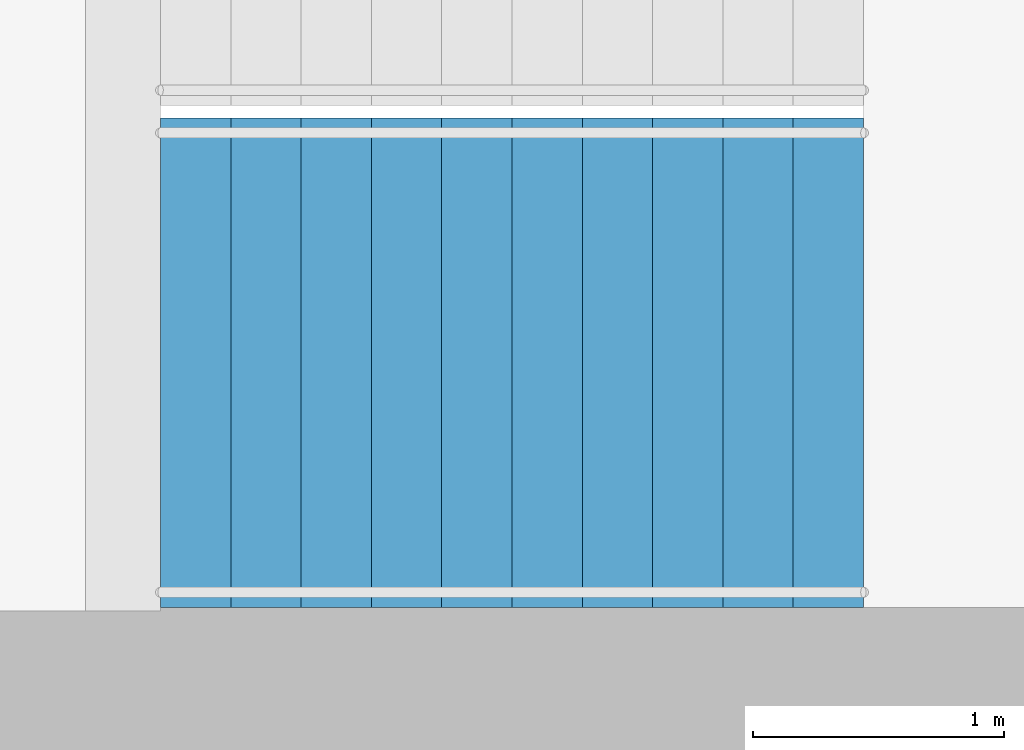
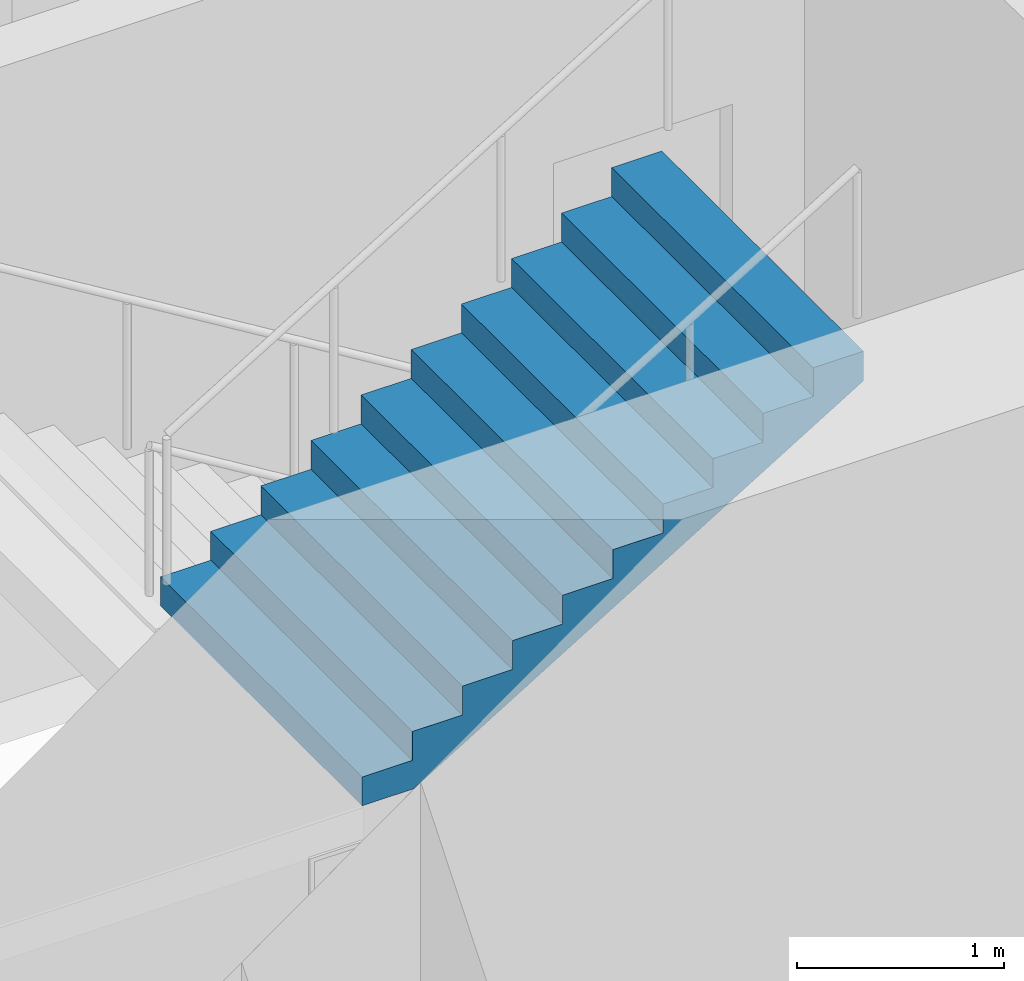
# One storey, part 21 of 23: 1 stair flight, 1 element without a shape of its own.
"""IFC4 building model written with IfcOpenShell, lengths in metres."""

from ifc_helpers import new_model, si_unit, direction, frame, origin, place, context, subcontext, project, spatial, triangles, material, type_object, element, aggregate, save


model = new_model("IFC4")

# Units and contexts
model_context = context("Model", 3, precision=1e-05, world=origin(), true_north=direction((0.0, 1.0)))
body_context = subcontext(model_context, "Body", "Model", "MODEL_VIEW")
ifc_project = project(units=[si_unit("LENGTHUNIT", "METRE"), si_unit("AREAUNIT", "SQUARE_METRE"), si_unit("VOLUMEUNIT", "CUBIC_METRE"), si_unit("PLANEANGLEUNIT", "RADIAN"), si_unit("MASSUNIT", "GRAM", prefix="KILO")], contexts=[model_context])

# Site, building, storey
site_placement = place(None, origin())
site = spatial("IfcSite", under=ifc_project, at=site_placement, CompositionType="ELEMENT")
building_placement = place(site_placement, origin())
building = spatial("IfcBuilding", under=site, at=building_placement, Name="Orbita Commons", CompositionType="ELEMENT")
storey_placement = place(building_placement, frame((0.0, 0.0, 42.699951171875)))
storey = spatial("IfcBuildingStorey", under=building, at=storey_placement, Name="L10", CompositionType="ELEMENT", Elevation=42.699951171875)

# Stair, stair flight
ifc_material_1 = material(Name="Precast concrete C40/50", Category="concrete")
stair_type = type_object("IfcStairType", Name="Exit stair S2 2 flights 11 risers 170", PredefinedType="HALF_TURN_STAIR", material=ifc_material_1)
stair_placement = place(storey_placement, origin())
stair = element("IfcStair", 1, at=stair_placement, inside=storey, type_object=stair_type, Name="Exit stair S2 L10", PredefinedType="HALF_TURN_STAIR")
ifc_material_2 = material(Name="Precast concrete C40/50", Category="concrete")
stair_flight_type = type_object("IfcStairFlightType", Name="Stair flight 11 risers 170 x 280", PredefinedType="STRAIGHT", material=ifc_material_2)
stair_flight_placement = place(storey_placement, frame((60.75, 27.27490234375, 1.875), z_axis=(0.0, 0.0, 1.0), x_axis=(1.0, 0.0, 0.0)))
stair_flight = element("IfcStairFlight", 2, at=stair_flight_placement, type_object=stair_flight_type, Name="S2 flight 2", NumberOfRisers=11, NumberOfTreads=10, PredefinedType="STRAIGHT", RiserHeight=0.170454545, TreadLength=0.28, context=body_context, shape_type="Tessellation", body=[
    triangles([(0.0, 0.974976, 0.0), (0.0, 0.974976, 0.021307), (0.0, 0.81248, 0.021307), (0.0, 0.81248, 0.0), (0.0, 0.649984, 0.021307), (0.0, 0.649984, 0.0), (0.0, 0.487488, 0.021307), (0.0, 0.487488, 0.0), (0.0, 0.324992, 0.021307), (0.0, 0.324992, 0.0), (0.0, 0.162496, 0.021307), (0.0, 0.162496, 0.0), (0.0, 0.0, 0.021307), (0.0, 0.0, 0.0), (0.0, -0.162496, 0.021307), (0.0, -0.162496, 0.0), (0.0, -0.324992, 0.021307), (0.0, -0.324992, 0.0), (0.0, -0.487488, 0.021307), (0.0, -0.487488, 0.0), (0.0, -0.649984, 0.021307), (0.0, -0.649984, 0.0), (0.0, -0.81248, 0.021307), (0.0, -0.81248, 0.0), (0.0, -0.974976, 0.021307), (0.0, -0.974976, 0.0), (0.0, 0.974976, 0.042614), (0.0, 0.81248, 0.042614), (0.0, 0.649984, 0.042614), (0.0, 0.487488, 0.042614), (0.0, 0.324992, 0.042614), (0.0, 0.162496, 0.042614), (0.0, 0.0, 0.042614), (0.0, -0.162496, 0.042614), (0.0, -0.324992, 0.042614), (0.0, -0.487488, 0.042614), (0.0, -0.649984, 0.042614), (0.0, -0.81248, 0.042614), (0.0, -0.974976, 0.042614), (0.0, 0.974976, 0.06392), (0.0, 0.81248, 0.06392), (0.0, 0.649984, 0.06392), (0.0, 0.487488, 0.06392), (0.0, 0.324992, 0.06392), (0.0, 0.162496, 0.06392), (0.0, 0.0, 0.06392), (0.0, -0.162496, 0.06392), (0.0, -0.324992, 0.06392), (0.0, -0.487488, 0.06392), (0.0, -0.649984, 0.06392), (0.0, -0.81248, 0.06392), (0.0, -0.974976, 0.06392), (0.0, 0.974976, 0.085227), (0.0, 0.81248, 0.085227), (0.0, 0.649984, 0.085227), (0.0, 0.487488, 0.085227), (0.0, 0.324992, 0.085227), (0.0, 0.162496, 0.085227), (0.0, 0.0, 0.085227), (0.0, -0.162496, 0.085227), (0.0, -0.324992, 0.085227), (0.0, -0.487488, 0.085227), (0.0, -0.649984, 0.085227), (0.0, -0.81248, 0.085227), (0.0, -0.974976, 0.085227), (0.0, 0.974976, 0.106534), (0.0, 0.81248, 0.106534), (0.0, 0.649984, 0.106534), (0.0, 0.487488, 0.106534), (0.0, 0.324992, 0.106534), (0.0, 0.162496, 0.106534), (0.0, 0.0, 0.106534), (0.0, -0.162496, 0.106534), (0.0, -0.324992, 0.106534), (0.0, -0.487488, 0.106534), (0.0, -0.649984, 0.106534), (0.0, -0.81248, 0.106534), (0.0, -0.974976, 0.106534), (0.0, 0.974976, 0.127841), (0.0, 0.81248, 0.127841), (0.0, 0.649984, 0.127841), (0.0, 0.487488, 0.127841), (0.0, 0.324992, 0.127841), (0.0, 0.162496, 0.127841), (0.0, 0.0, 0.127841), (0.0, -0.162496, 0.127841), (0.0, -0.324992, 0.127841), (0.0, -0.487488, 0.127841), (0.0, -0.649984, 0.127841), (0.0, -0.81248, 0.127841), (0.0, -0.974976, 0.127841), (0.0, 0.974976, 0.149148), (0.0, 0.81248, 0.149148), (0.0, 0.649984, 0.149148), (0.0, 0.487488, 0.149148), (0.0, 0.324992, 0.149148), (0.0, 0.162496, 0.149148), (0.0, 0.0, 0.149148), (0.0, -0.162496, 0.149148), (0.0, -0.324992, 0.149148), (0.0, -0.487488, 0.149148), (0.0, -0.649984, 0.149148), (0.0, -0.81248, 0.149148), (0.0, -0.974976, 0.149148), (0.0, 0.974976, 0.170455), (0.0, 0.81248, 0.170455), (0.0, 0.649984, 0.170455), (0.0, 0.487488, 0.170455), (0.0, 0.324992, 0.170455), (0.0, 0.162496, 0.170455), (0.0, 0.0, 0.170455), (0.0, -0.162496, 0.170455), (0.0, -0.324992, 0.170455), (0.0, -0.487488, 0.170455), (0.0, -0.649984, 0.170455), (0.0, -0.81248, 0.170455), (0.0, -0.974976, 0.170455), (0.28, 0.974976, 0.170455), (0.28, 0.81248, 0.170455), (0.28, 0.649984, 0.170455), (0.28, 0.487488, 0.170455), (0.28, 0.324992, 0.170455), (0.28, 0.162496, 0.170455), (0.28, 0.0, 0.170455), (0.28, -0.162496, 0.170455), (0.28, -0.324992, 0.170455), (0.28, -0.487488, 0.170455), (0.28, -0.649984, 0.170455), (0.28, -0.81248, 0.170455), (0.28, -0.974976, 0.170455), (0.28, 0.974976, 0.340909), (0.28, 0.81248, 0.340909), (0.28, 0.649984, 0.340909), (0.28, 0.487488, 0.340909), (0.28, 0.324992, 0.340909), (0.28, 0.162496, 0.340909), (0.28, 0.0, 0.340909), (0.28, -0.162496, 0.340909), (0.28, -0.324992, 0.340909), (0.28, -0.487488, 0.340909), (0.28, -0.649984, 0.340909), (0.28, -0.81248, 0.340909), (0.28, -0.974976, 0.340909), (0.56, 0.974976, 0.340909), (0.56, 0.81248, 0.340909), (0.56, 0.649984, 0.340909), (0.56, 0.487488, 0.340909), (0.56, 0.324992, 0.340909), (0.56, 0.162496, 0.340909), (0.56, 0.0, 0.340909), (0.56, -0.162496, 0.340909), (0.56, -0.324992, 0.340909), (0.56, -0.487488, 0.340909), (0.56, -0.649984, 0.340909), (0.56, -0.81248, 0.340909), (0.56, -0.974976, 0.340909), (0.56, 0.974976, 0.511364), (0.56, 0.81248, 0.511364), (0.56, 0.649984, 0.511364), (0.56, 0.487488, 0.511364), (0.56, 0.324992, 0.511364), (0.56, 0.162496, 0.511364), (0.56, 0.0, 0.511364), (0.56, -0.162496, 0.511364), (0.56, -0.324992, 0.511364), (0.56, -0.487488, 0.511364), (0.56, -0.649984, 0.511364), (0.56, -0.81248, 0.511364), (0.56, -0.974976, 0.511364), (0.84, 0.974976, 0.511364), (0.84, 0.81248, 0.511364), (0.84, 0.649984, 0.511364), (0.84, 0.487488, 0.511364), (0.84, 0.324992, 0.511364), (0.84, 0.162496, 0.511364), (0.84, 0.0, 0.511364), (0.84, -0.162496, 0.511364), (0.84, -0.324992, 0.511364), (0.84, -0.487488, 0.511364), (0.84, -0.649984, 0.511364), (0.84, -0.81248, 0.511364), (0.84, -0.974976, 0.511364), (0.84, 0.974976, 0.681818), (0.84, 0.81248, 0.681818), (0.84, 0.649984, 0.681818), (0.84, 0.487488, 0.681818), (0.84, 0.324992, 0.681818), (0.84, 0.162496, 0.681818), (0.84, 0.0, 0.681818), (0.84, -0.162496, 0.681818), (0.84, -0.324992, 0.681818), (0.84, -0.487488, 0.681818), (0.84, -0.649984, 0.681818), (0.84, -0.81248, 0.681818), (0.84, -0.974976, 0.681818), (1.12, 0.974976, 0.681818), (1.12, 0.81248, 0.681818), (1.12, 0.649984, 0.681818), (1.12, 0.487488, 0.681818), (1.12, 0.324992, 0.681818), (1.12, 0.162496, 0.681818), (1.12, 0.0, 0.681818), (1.12, -0.162496, 0.681818), (1.12, -0.324992, 0.681818), (1.12, -0.487488, 0.681818), (1.12, -0.649984, 0.681818), (1.12, -0.81248, 0.681818), (1.12, -0.974976, 0.681818), (1.12, 0.974976, 0.852273), (1.12, 0.81248, 0.852273), (1.12, 0.649984, 0.852273), (1.12, 0.487488, 0.852273), (1.12, 0.324992, 0.852273), (1.12, 0.162496, 0.852273), (1.12, 0.0, 0.852273), (1.12, -0.162496, 0.852273), (1.12, -0.324992, 0.852273), (1.12, -0.487488, 0.852273), (1.12, -0.649984, 0.852273), (1.12, -0.81248, 0.852273), (1.12, -0.974976, 0.852273), (1.4, 0.974976, 0.852273), (1.4, 0.81248, 0.852273), (1.4, 0.649984, 0.852273), (1.4, 0.487488, 0.852273), (1.4, 0.324992, 0.852273), (1.4, 0.162496, 0.852273), (1.4, 0.0, 0.852273), (1.4, -0.162496, 0.852273), (1.4, -0.324992, 0.852273), (1.4, -0.487488, 0.852273), (1.4, -0.649984, 0.852273), (1.4, -0.81248, 0.852273), (1.4, -0.974976, 0.852273), (1.4, 0.974976, 1.022727), (1.4, 0.81248, 1.022727), (1.4, 0.649984, 1.022727), (1.4, 0.487488, 1.022727), (1.4, 0.324992, 1.022727), (1.4, 0.162496, 1.022727), (1.4, 0.0, 1.022727), (1.4, -0.162496, 1.022727), (1.4, -0.324992, 1.022727), (1.4, -0.487488, 1.022727), (1.4, -0.649984, 1.022727), (1.4, -0.81248, 1.022727), (1.4, -0.974976, 1.022727), (1.68, 0.974976, 1.022727), (1.68, 0.81248, 1.022727), (1.68, 0.649984, 1.022727), (1.68, 0.487488, 1.022727), (1.68, 0.324992, 1.022727), (1.68, 0.162496, 1.022727), (1.68, 0.0, 1.022727), (1.68, -0.162496, 1.022727), (1.68, -0.324992, 1.022727), (1.68, -0.487488, 1.022727), (1.68, -0.649984, 1.022727), (1.68, -0.81248, 1.022727), (1.68, -0.974976, 1.022727), (1.68, 0.974976, 1.193182), (1.68, 0.81248, 1.193182), (1.68, 0.649984, 1.193182), (1.68, 0.487488, 1.193182), (1.68, 0.324992, 1.193182), (1.68, 0.162496, 1.193182), (1.68, 0.0, 1.193182), (1.68, -0.162496, 1.193182), (1.68, -0.324992, 1.193182), (1.68, -0.487488, 1.193182), (1.68, -0.649984, 1.193182), (1.68, -0.81248, 1.193182), (1.68, -0.974976, 1.193182), (1.96, 0.974976, 1.193182), (1.96, 0.81248, 1.193182), (1.96, 0.649984, 1.193182), (1.96, 0.487488, 1.193182), (1.96, 0.324992, 1.193182), (1.96, 0.162496, 1.193182), (1.96, 0.0, 1.193182), (1.96, -0.162496, 1.193182), (1.96, -0.324992, 1.193182), (1.96, -0.487488, 1.193182), (1.96, -0.649984, 1.193182), (1.96, -0.81248, 1.193182), (1.96, -0.974976, 1.193182), (1.96, 0.974976, 1.363636), (1.96, 0.81248, 1.363636), (1.96, 0.649984, 1.363636), (1.96, 0.487488, 1.363636), (1.96, 0.324992, 1.363636), (1.96, 0.162496, 1.363636), (1.96, 0.0, 1.363636), (1.96, -0.162496, 1.363636), (1.96, -0.324992, 1.363636), (1.96, -0.487488, 1.363636), (1.96, -0.649984, 1.363636), (1.96, -0.81248, 1.363636), (1.96, -0.974976, 1.363636), (2.24, 0.974976, 1.363636), (2.24, 0.81248, 1.363636), (2.24, 0.649984, 1.363636), (2.24, 0.487488, 1.363636), (2.24, 0.324992, 1.363636), (2.24, 0.162496, 1.363636), (2.24, 0.0, 1.363636), (2.24, -0.162496, 1.363636), (2.24, -0.324992, 1.363636), (2.24, -0.487488, 1.363636), (2.24, -0.649984, 1.363636), (2.24, -0.81248, 1.363636), (2.24, -0.974976, 1.363636), (2.24, 0.974976, 1.534091), (2.24, 0.81248, 1.534091), (2.24, 0.649984, 1.534091), (2.24, 0.487488, 1.534091), (2.24, 0.324992, 1.534091), (2.24, 0.162496, 1.534091), (2.24, 0.0, 1.534091), (2.24, -0.162496, 1.534091), (2.24, -0.324992, 1.534091), (2.24, -0.487488, 1.534091), (2.24, -0.649984, 1.534091), (2.24, -0.81248, 1.534091), (2.24, -0.974976, 1.534091), (2.52, 0.974976, 1.534091), (2.52, 0.81248, 1.534091), (2.52, 0.649984, 1.534091), (2.52, 0.487488, 1.534091), (2.52, 0.324992, 1.534091), (2.52, 0.162496, 1.534091), (2.52, 0.0, 1.534091), (2.52, -0.162496, 1.534091), (2.52, -0.324992, 1.534091), (2.52, -0.487488, 1.534091), (2.52, -0.649984, 1.534091), (2.52, -0.81248, 1.534091), (2.52, -0.974976, 1.534091), (2.52, 0.974976, 1.704545), (2.52, 0.81248, 1.704545), (2.52, 0.649984, 1.704545), (2.52, 0.487488, 1.704545), (2.52, 0.324992, 1.704545), (2.52, 0.162496, 1.704545), (2.52, 0.0, 1.704545), (2.52, -0.162496, 1.704545), (2.52, -0.324992, 1.704545), (2.52, -0.487488, 1.704545), (2.52, -0.649984, 1.704545), (2.52, -0.81248, 1.704545), (2.52, -0.974976, 1.704545), (2.8, 0.974976, 1.704545), (2.8, 0.81248, 1.704545), (2.8, 0.649984, 1.704545), (2.8, 0.487488, 1.704545), (2.8, 0.324992, 1.704545), (2.8, 0.162496, 1.704545), (2.8, 0.0, 1.704545), (2.8, -0.162496, 1.704545), (2.8, -0.324992, 1.704545), (2.8, -0.487488, 1.704545), (2.8, -0.649984, 1.704545), (2.8, -0.81248, 1.704545), (2.8, -0.974976, 1.704545), (2.8, 0.974976, 1.682609), (2.8, 0.81248, 1.682609), (2.8, 0.649984, 1.682609), (2.8, 0.487488, 1.682609), (2.8, 0.324992, 1.682609), (2.8, 0.162496, 1.682609), (2.8, 0.0, 1.682609), (2.8, -0.162496, 1.682609), (2.8, -0.324992, 1.682609), (2.8, -0.487488, 1.682609), (2.8, -0.649984, 1.682609), (2.8, -0.81248, 1.682609), (2.8, -0.974976, 1.682609), (2.8, 0.974976, 1.660672), (2.8, 0.81248, 1.660672), (2.8, 0.649984, 1.660672), (2.8, 0.487488, 1.660672), (2.8, 0.324992, 1.660672), (2.8, 0.162496, 1.660672), (2.8, 0.0, 1.660672), (2.8, -0.162496, 1.660672), (2.8, -0.324992, 1.660672), (2.8, -0.487488, 1.660672), (2.8, -0.649984, 1.660672), (2.8, -0.81248, 1.660672), (2.8, -0.974976, 1.660672), (2.8, 0.974976, 1.638735), (2.8, 0.81248, 1.638735), (2.8, 0.649984, 1.638735), (2.8, 0.487488, 1.638735), (2.8, 0.324992, 1.638735), (2.8, 0.162496, 1.638735), (2.8, 0.0, 1.638735), (2.8, -0.162496, 1.638735), (2.8, -0.324992, 1.638735), (2.8, -0.487488, 1.638735), (2.8, -0.649984, 1.638735), (2.8, -0.81248, 1.638735), (2.8, -0.974976, 1.638735), (2.8, 0.974976, 1.616798), (2.8, 0.81248, 1.616798), (2.8, 0.649984, 1.616798), (2.8, 0.487488, 1.616798), (2.8, 0.324992, 1.616798), (2.8, 0.162496, 1.616798), (2.8, 0.0, 1.616798), (2.8, -0.162496, 1.616798), (2.8, -0.324992, 1.616798), (2.8, -0.487488, 1.616798), (2.8, -0.649984, 1.616798), (2.8, -0.81248, 1.616798), (2.8, -0.974976, 1.616798), (2.8, 0.974976, 1.594861), (2.8, 0.81248, 1.594861), (2.8, 0.649984, 1.594861), (2.8, 0.487488, 1.594861), (2.8, 0.324992, 1.594861), (2.8, 0.162496, 1.594861), (2.8, 0.0, 1.594861), (2.8, -0.162496, 1.594861), (2.8, -0.324992, 1.594861), (2.8, -0.487488, 1.594861), (2.8, -0.649984, 1.594861), (2.8, -0.81248, 1.594861), (2.8, -0.974976, 1.594861), (2.8, 0.974976, 1.572925), (2.8, 0.81248, 1.572925), (2.8, 0.649984, 1.572925), (2.8, 0.487488, 1.572925), (2.8, 0.324992, 1.572925), (2.8, 0.162496, 1.572925), (2.8, 0.0, 1.572925), (2.8, -0.162496, 1.572925), (2.8, -0.324992, 1.572925), (2.8, -0.487488, 1.572925), (2.8, -0.649984, 1.572925), (2.8, -0.81248, 1.572925), (2.8, -0.974976, 1.572925), (2.8, 0.974976, 1.550988), (2.8, 0.81248, 1.550988), (2.8, 0.649984, 1.550988), (2.8, 0.487488, 1.550988), (2.8, 0.324992, 1.550988), (2.8, 0.162496, 1.550988), (2.8, 0.0, 1.550988), (2.8, -0.162496, 1.550988), (2.8, -0.324992, 1.550988), (2.8, -0.487488, 1.550988), (2.8, -0.649984, 1.550988), (2.8, -0.81248, 1.550988), (2.8, -0.974976, 1.550988), (2.8, 0.974976, 1.529051), (2.8, 0.81248, 1.529051), (2.8, 0.649984, 1.529051), (2.8, 0.487488, 1.529051), (2.8, 0.324992, 1.529051), (2.8, 0.162496, 1.529051), (2.8, 0.0, 1.529051), (2.8, -0.162496, 1.529051), (2.8, -0.324992, 1.529051), (2.8, -0.487488, 1.529051), (2.8, -0.649984, 1.529051), (2.8, -0.81248, 1.529051), (2.8, -0.974976, 1.529051), (0.288279, 0.974976, 0.0), (0.288279, 0.81248, 0.0), (0.288279, 0.649984, 0.0), (0.288279, 0.487488, 0.0), (0.288279, 0.324992, 0.0), (0.288279, 0.162496, 0.0), (0.288279, 0.0, 0.0), (0.288279, -0.162496, 0.0), (0.288279, -0.324992, 0.0), (0.288279, -0.487488, 0.0), (0.288279, -0.649984, 0.0), (0.288279, -0.81248, 0.0), (0.288279, -0.974976, 0.0)], [[3, 2, 1], [4, 3, 1], [5, 3, 4], [6, 5, 4], [7, 5, 6], [8, 7, 6], [9, 7, 8], [10, 9, 8], [11, 9, 10], [12, 11, 10], [13, 11, 12], [14, 13, 12], [15, 13, 14], [16, 15, 14], [17, 15, 16], [18, 17, 16], [19, 17, 18], [20, 19, 18], [21, 19, 20], [22, 21, 20], [23, 21, 22], [24, 23, 22], [25, 23, 24], [26, 25, 24], [28, 27, 2], [3, 28, 2], [29, 28, 3], [5, 29, 3], [30, 29, 5], [7, 30, 5], [31, 30, 7], [9, 31, 7], [32, 31, 9], [11, 32, 9], [33, 32, 11], [13, 33, 11], [34, 33, 13], [15, 34, 13], [35, 34, 15], [17, 35, 15], [36, 35, 17], [19, 36, 17], [37, 36, 19], [21, 37, 19], [38, 37, 21], [23, 38, 21], [39, 38, 23], [25, 39, 23], [41, 40, 27], [28, 41, 27], [42, 41, 28], [29, 42, 28], [43, 42, 29], [30, 43, 29], [44, 43, 30], [31, 44, 30], [45, 44, 31], [32, 45, 31], [46, 45, 32], [33, 46, 32], [47, 46, 33], [34, 47, 33], [48, 47, 34], [35, 48, 34], [49, 48, 35], [36, 49, 35], [50, 49, 36], [37, 50, 36], [51, 50, 37], [38, 51, 37], [52, 51, 38], [39, 52, 38], [54, 53, 40], [41, 54, 40], [55, 54, 41], [42, 55, 41], [56, 55, 42], [43, 56, 42], [57, 56, 43], [44, 57, 43], [58, 57, 44], [45, 58, 44], [59, 58, 45], [46, 59, 45], [60, 59, 46], [47, 60, 46], [61, 60, 47], [48, 61, 47], [62, 61, 48], [49, 62, 48], [63, 62, 49], [50, 63, 49], [64, 63, 50], [51, 64, 50], [65, 64, 51], [52, 65, 51], [67, 66, 53], [54, 67, 53], [68, 67, 54], [55, 68, 54], [69, 68, 55], [56, 69, 55], [70, 69, 56], [57, 70, 56], [71, 70, 57], [58, 71, 57], [72, 71, 58], [59, 72, 58], [73, 72, 59], [60, 73, 59], [74, 73, 60], [61, 74, 60], [75, 74, 61], [62, 75, 61], [76, 75, 62], [63, 76, 62], [77, 76, 63], [64, 77, 63], [78, 77, 64], [65, 78, 64], [80, 79, 66], [67, 80, 66], [81, 80, 67], [68, 81, 67], [82, 81, 68], [69, 82, 68], [83, 82, 69], [70, 83, 69], [84, 83, 70], [71, 84, 70], [85, 84, 71], [72, 85, 71], [86, 85, 72], [73, 86, 72], [87, 86, 73], [74, 87, 73], [88, 87, 74], [75, 88, 74], [89, 88, 75], [76, 89, 75], [90, 89, 76], [77, 90, 76], [91, 90, 77], [78, 91, 77], [93, 92, 79], [80, 93, 79], [94, 93, 80], [81, 94, 80], [95, 94, 81], [82, 95, 81], [96, 95, 82], [83, 96, 82], [97, 96, 83], [84, 97, 83], [98, 97, 84], [85, 98, 84], [99, 98, 85], [86, 99, 85], [100, 99, 86], [87, 100, 86], [101, 100, 87], [88, 101, 87], [102, 101, 88], [89, 102, 88], [103, 102, 89], [90, 103, 89], [104, 103, 90], [91, 104, 90], [106, 105, 92], [93, 106, 92], [107, 106, 93], [94, 107, 93], [108, 107, 94], [95, 108, 94], [109, 108, 95], [96, 109, 95], [110, 109, 96], [97, 110, 96], [111, 110, 97], [98, 111, 97], [112, 111, 98], [99, 112, 98], [113, 112, 99], [100, 113, 99], [114, 113, 100], [101, 114, 100], [115, 114, 101], [102, 115, 101], [116, 115, 102], [103, 116, 102], [117, 116, 103], [104, 117, 103], [119, 118, 105], [106, 119, 105], [120, 119, 106], [107, 120, 106], [121, 120, 107], [108, 121, 107], [122, 121, 108], [109, 122, 108], [123, 122, 109], [110, 123, 109], [124, 123, 110], [111, 124, 110], [125, 124, 111], [112, 125, 111], [126, 125, 112], [113, 126, 112], [127, 126, 113], [114, 127, 113], [128, 127, 114], [115, 128, 114], [129, 128, 115], [116, 129, 115], [130, 129, 116], [117, 130, 116], [132, 131, 118], [119, 132, 118], [133, 132, 119], [120, 133, 119], [134, 133, 120], [121, 134, 120], [135, 134, 121], [122, 135, 121], [136, 135, 122], [123, 136, 122], [137, 136, 123], [124, 137, 123], [138, 137, 124], [125, 138, 124], [139, 138, 125], [126, 139, 125], [140, 139, 126], [127, 140, 126], [141, 140, 127], [128, 141, 127], [142, 141, 128], [129, 142, 128], [143, 142, 129], [130, 143, 129], [145, 144, 131], [132, 145, 131], [146, 145, 132], [133, 146, 132], [147, 146, 133], [134, 147, 133], [148, 147, 134], [135, 148, 134], [149, 148, 135], [136, 149, 135], [150, 149, 136], [137, 150, 136], [151, 150, 137], [138, 151, 137], [152, 151, 138], [139, 152, 138], [153, 152, 139], [140, 153, 139], [154, 153, 140], [141, 154, 140], [155, 154, 141], [142, 155, 141], [156, 155, 142], [143, 156, 142], [158, 157, 144], [145, 158, 144], [159, 158, 145], [146, 159, 145], [160, 159, 146], [147, 160, 146], [161, 160, 147], [148, 161, 147], [162, 161, 148], [149, 162, 148], [163, 162, 149], [150, 163, 149], [164, 163, 150], [151, 164, 150], [165, 164, 151], [152, 165, 151], [166, 165, 152], [153, 166, 152], [167, 166, 153], [154, 167, 153], [168, 167, 154], [155, 168, 154], [169, 168, 155], [156, 169, 155], [171, 170, 157], [158, 171, 157], [172, 171, 158], [159, 172, 158], [173, 172, 159], [160, 173, 159], [174, 173, 160], [161, 174, 160], [175, 174, 161], [162, 175, 161], [176, 175, 162], [163, 176, 162], [177, 176, 163], [164, 177, 163], [178, 177, 164], [165, 178, 164], [179, 178, 165], [166, 179, 165], [180, 179, 166], [167, 180, 166], [181, 180, 167], [168, 181, 167], [182, 181, 168], [169, 182, 168], [184, 183, 170], [171, 184, 170], [185, 184, 171], [172, 185, 171], [186, 185, 172], [173, 186, 172], [187, 186, 173], [174, 187, 173], [188, 187, 174], [175, 188, 174], [189, 188, 175], [176, 189, 175], [190, 189, 176], [177, 190, 176], [191, 190, 177], [178, 191, 177], [192, 191, 178], [179, 192, 178], [193, 192, 179], [180, 193, 179], [194, 193, 180], [181, 194, 180], [195, 194, 181], [182, 195, 181], [197, 196, 183], [184, 197, 183], [198, 197, 184], [185, 198, 184], [199, 198, 185], [186, 199, 185], [200, 199, 186], [187, 200, 186], [201, 200, 187], [188, 201, 187], [202, 201, 188], [189, 202, 188], [203, 202, 189], [190, 203, 189], [204, 203, 190], [191, 204, 190], [205, 204, 191], [192, 205, 191], [206, 205, 192], [193, 206, 192], [207, 206, 193], [194, 207, 193], [208, 207, 194], [195, 208, 194], [210, 209, 196], [197, 210, 196], [211, 210, 197], [198, 211, 197], [212, 211, 198], [199, 212, 198], [213, 212, 199], [200, 213, 199], [214, 213, 200], [201, 214, 200], [215, 214, 201], [202, 215, 201], [216, 215, 202], [203, 216, 202], [217, 216, 203], [204, 217, 203], [218, 217, 204], [205, 218, 204], [219, 218, 205], [206, 219, 205], [220, 219, 206], [207, 220, 206], [221, 220, 207], [208, 221, 207], [223, 222, 209], [210, 223, 209], [224, 223, 210], [211, 224, 210], [225, 224, 211], [212, 225, 211], [226, 225, 212], [213, 226, 212], [227, 226, 213], [214, 227, 213], [228, 227, 214], [215, 228, 214], [229, 228, 215], [216, 229, 215], [230, 229, 216], [217, 230, 216], [231, 230, 217], [218, 231, 217], [232, 231, 218], [219, 232, 218], [233, 232, 219], [220, 233, 219], [234, 233, 220], [221, 234, 220], [236, 235, 222], [223, 236, 222], [237, 236, 223], [224, 237, 223], [238, 237, 224], [225, 238, 224], [239, 238, 225], [226, 239, 225], [240, 239, 226], [227, 240, 226], [241, 240, 227], [228, 241, 227], [242, 241, 228], [229, 242, 228], [243, 242, 229], [230, 243, 229], [244, 243, 230], [231, 244, 230], [245, 244, 231], [232, 245, 231], [246, 245, 232], [233, 246, 232], [247, 246, 233], [234, 247, 233], [249, 248, 235], [236, 249, 235], [250, 249, 236], [237, 250, 236], [251, 250, 237], [238, 251, 237], [252, 251, 238], [239, 252, 238], [253, 252, 239], [240, 253, 239], [254, 253, 240], [241, 254, 240], [255, 254, 241], [242, 255, 241], [256, 255, 242], [243, 256, 242], [257, 256, 243], [244, 257, 243], [258, 257, 244], [245, 258, 244], [259, 258, 245], [246, 259, 245], [260, 259, 246], [247, 260, 246], [262, 261, 248], [249, 262, 248], [263, 262, 249], [250, 263, 249], [264, 263, 250], [251, 264, 250], [265, 264, 251], [252, 265, 251], [266, 265, 252], [253, 266, 252], [267, 266, 253], [254, 267, 253], [268, 267, 254], [255, 268, 254], [269, 268, 255], [256, 269, 255], [270, 269, 256], [257, 270, 256], [271, 270, 257], [258, 271, 257], [272, 271, 258], [259, 272, 258], [273, 272, 259], [260, 273, 259], [275, 274, 261], [262, 275, 261], [276, 275, 262], [263, 276, 262], [277, 276, 263], [264, 277, 263], [278, 277, 264], [265, 278, 264], [279, 278, 265], [266, 279, 265], [280, 279, 266], [267, 280, 266], [281, 280, 267], [268, 281, 267], [282, 281, 268], [269, 282, 268], [283, 282, 269], [270, 283, 269], [284, 283, 270], [271, 284, 270], [285, 284, 271], [272, 285, 271], [286, 285, 272], [273, 286, 272], [288, 287, 274], [275, 288, 274], [289, 288, 275], [276, 289, 275], [290, 289, 276], [277, 290, 276], [291, 290, 277], [278, 291, 277], [292, 291, 278], [279, 292, 278], [293, 292, 279], [280, 293, 279], [294, 293, 280], [281, 294, 280], [295, 294, 281], [282, 295, 281], [296, 295, 282], [283, 296, 282], [297, 296, 283], [284, 297, 283], [298, 297, 284], [285, 298, 284], [299, 298, 285], [286, 299, 285], [301, 300, 287], [288, 301, 287], [302, 301, 288], [289, 302, 288], [303, 302, 289], [290, 303, 289], [304, 303, 290], [291, 304, 290], [305, 304, 291], [292, 305, 291], [306, 305, 292], [293, 306, 292], [307, 306, 293], [294, 307, 293], [308, 307, 294], [295, 308, 294], [309, 308, 295], [296, 309, 295], [310, 309, 296], [297, 310, 296], [311, 310, 297], [298, 311, 297], [312, 311, 298], [299, 312, 298], [314, 313, 300], [301, 314, 300], [315, 314, 301], [302, 315, 301], [316, 315, 302], [303, 316, 302], [317, 316, 303], [304, 317, 303], [318, 317, 304], [305, 318, 304], [319, 318, 305], [306, 319, 305], [320, 319, 306], [307, 320, 306], [321, 320, 307], [308, 321, 307], [322, 321, 308], [309, 322, 308], [323, 322, 309], [310, 323, 309], [324, 323, 310], [311, 324, 310], [325, 324, 311], [312, 325, 311], [327, 326, 313], [314, 327, 313], [328, 327, 314], [315, 328, 314], [329, 328, 315], [316, 329, 315], [330, 329, 316], [317, 330, 316], [331, 330, 317], [318, 331, 317], [332, 331, 318], [319, 332, 318], [333, 332, 319], [320, 333, 319], [334, 333, 320], [321, 334, 320], [335, 334, 321], [322, 335, 321], [336, 335, 322], [323, 336, 322], [337, 336, 323], [324, 337, 323], [338, 337, 324], [325, 338, 324], [340, 339, 326], [327, 340, 326], [341, 340, 327], [328, 341, 327], [342, 341, 328], [329, 342, 328], [343, 342, 329], [330, 343, 329], [344, 343, 330], [331, 344, 330], [345, 344, 331], [332, 345, 331], [346, 345, 332], [333, 346, 332], [347, 346, 333], [334, 347, 333], [348, 347, 334], [335, 348, 334], [349, 348, 335], [336, 349, 335], [350, 349, 336], [337, 350, 336], [351, 350, 337], [338, 351, 337], [353, 352, 339], [340, 353, 339], [354, 353, 340], [341, 354, 340], [355, 354, 341], [342, 355, 341], [356, 355, 342], [343, 356, 342], [357, 356, 343], [344, 357, 343], [358, 357, 344], [345, 358, 344], [359, 358, 345], [346, 359, 345], [360, 359, 346], [347, 360, 346], [361, 360, 347], [348, 361, 347], [362, 361, 348], [349, 362, 348], [363, 362, 349], [350, 363, 349], [364, 363, 350], [351, 364, 350], [366, 365, 352], [353, 366, 352], [367, 366, 353], [354, 367, 353], [368, 367, 354], [355, 368, 354], [369, 368, 355], [356, 369, 355], [370, 369, 356], [357, 370, 356], [371, 370, 357], [358, 371, 357], [372, 371, 358], [359, 372, 358], [373, 372, 359], [360, 373, 359], [374, 373, 360], [361, 374, 360], [375, 374, 361], [362, 375, 361], [376, 375, 362], [363, 376, 362], [377, 376, 363], [364, 377, 363], [379, 378, 365], [366, 379, 365], [380, 379, 366], [367, 380, 366], [381, 380, 367], [368, 381, 367], [382, 381, 368], [369, 382, 368], [383, 382, 369], [370, 383, 369], [384, 383, 370], [371, 384, 370], [385, 384, 371], [372, 385, 371], [386, 385, 372], [373, 386, 372], [387, 386, 373], [374, 387, 373], [388, 387, 374], [375, 388, 374], [389, 388, 375], [376, 389, 375], [390, 389, 376], [377, 390, 376], [392, 391, 378], [379, 392, 378], [393, 392, 379], [380, 393, 379], [394, 393, 380], [381, 394, 380], [395, 394, 381], [382, 395, 381], [396, 395, 382], [383, 396, 382], [397, 396, 383], [384, 397, 383], [398, 397, 384], [385, 398, 384], [399, 398, 385], [386, 399, 385], [400, 399, 386], [387, 400, 386], [401, 400, 387], [388, 401, 387], [402, 401, 388], [389, 402, 388], [403, 402, 389], [390, 403, 389], [405, 404, 391], [392, 405, 391], [406, 405, 392], [393, 406, 392], [407, 406, 393], [394, 407, 393], [408, 407, 394], [395, 408, 394], [409, 408, 395], [396, 409, 395], [410, 409, 396], [397, 410, 396], [411, 410, 397], [398, 411, 397], [412, 411, 398], [399, 412, 398], [413, 412, 399], [400, 413, 399], [414, 413, 400], [401, 414, 400], [415, 414, 401], [402, 415, 401], [416, 415, 402], [403, 416, 402], [418, 417, 404], [405, 418, 404], [419, 418, 405], [406, 419, 405], [420, 419, 406], [407, 420, 406], [421, 420, 407], [408, 421, 407], [422, 421, 408], [409, 422, 408], [423, 422, 409], [410, 423, 409], [424, 423, 410], [411, 424, 410], [425, 424, 411], [412, 425, 411], [426, 425, 412], [413, 426, 412], [427, 426, 413], [414, 427, 413], [428, 427, 414], [415, 428, 414], [429, 428, 415], [416, 429, 415], [431, 430, 417], [418, 431, 417], [432, 431, 418], [419, 432, 418], [433, 432, 419], [420, 433, 419], [434, 433, 420], [421, 434, 420], [435, 434, 421], [422, 435, 421], [436, 435, 422], [423, 436, 422], [437, 436, 423], [424, 437, 423], [438, 437, 424], [425, 438, 424], [439, 438, 425], [426, 439, 425], [440, 439, 426], [427, 440, 426], [441, 440, 427], [428, 441, 427], [442, 441, 428], [429, 442, 428], [444, 443, 430], [431, 444, 430], [445, 444, 431], [432, 445, 431], [446, 445, 432], [433, 446, 432], [447, 446, 433], [434, 447, 433], [448, 447, 434], [435, 448, 434], [449, 448, 435], [436, 449, 435], [450, 449, 436], [437, 450, 436], [451, 450, 437], [438, 451, 437], [452, 451, 438], [439, 452, 438], [453, 452, 439], [440, 453, 439], [454, 453, 440], [441, 454, 440], [455, 454, 441], [442, 455, 441], [457, 456, 443], [444, 457, 443], [458, 457, 444], [445, 458, 444], [459, 458, 445], [446, 459, 445], [460, 459, 446], [447, 460, 446], [461, 460, 447], [448, 461, 447], [462, 461, 448], [449, 462, 448], [463, 462, 449], [450, 463, 449], [464, 463, 450], [451, 464, 450], [465, 464, 451], [452, 465, 451], [466, 465, 452], [453, 466, 452], [467, 466, 453], [454, 467, 453], [468, 467, 454], [455, 468, 454], [470, 469, 456], [457, 470, 456], [471, 470, 457], [458, 471, 457], [472, 471, 458], [459, 472, 458], [473, 472, 459], [460, 473, 459], [474, 473, 460], [461, 474, 460], [475, 474, 461], [462, 475, 461], [476, 475, 462], [463, 476, 462], [477, 476, 463], [464, 477, 463], [478, 477, 464], [465, 478, 464], [479, 478, 465], [466, 479, 465], [480, 479, 466], [467, 480, 466], [481, 480, 467], [468, 481, 467], [4, 1, 469], [470, 4, 469], [6, 4, 470], [471, 6, 470], [8, 6, 471], [472, 8, 471], [10, 8, 472], [473, 10, 472], [12, 10, 473], [474, 12, 473], [14, 12, 474], [475, 14, 474], [16, 14, 475], [476, 16, 475], [18, 16, 476], [477, 18, 476], [20, 18, 477], [478, 20, 477], [22, 20, 478], [479, 22, 478], [24, 22, 479], [480, 24, 479], [26, 24, 480], [481, 26, 480], [456, 469, 1], [26, 481, 468], [443, 456, 1], [26, 468, 455], [430, 443, 1], [26, 455, 442], [417, 430, 1], [26, 442, 429], [404, 417, 1], [26, 429, 416], [391, 404, 1], [26, 416, 403], [378, 391, 1], [26, 403, 390], [365, 378, 1], [26, 390, 377], [339, 352, 365], [377, 364, 351], [326, 339, 365], [377, 351, 338], [300, 313, 326], [338, 325, 312], [300, 326, 365], [377, 338, 312], [274, 287, 300], [312, 299, 286], [274, 300, 365], [377, 312, 286], [248, 261, 274], [286, 273, 260], [248, 274, 365], [377, 286, 260], [222, 235, 248], [260, 247, 234], [222, 248, 365], [377, 260, 234], [196, 209, 222], [234, 221, 208], [196, 222, 365], [377, 234, 208], [170, 183, 196], [208, 195, 182], [170, 196, 365], [377, 208, 182], [144, 157, 170], [182, 169, 156], [144, 170, 365], [377, 182, 156], [118, 131, 144], [156, 143, 130], [118, 144, 365], [377, 156, 130], [118, 365, 1], [26, 377, 130], [92, 105, 118], [130, 117, 104], [79, 92, 118], [130, 104, 91], [66, 79, 118], [130, 91, 78], [53, 66, 118], [130, 78, 65], [40, 53, 118], [130, 65, 52], [27, 40, 118], [130, 52, 39], [2, 27, 118], [130, 39, 25], [1, 2, 118], [130, 25, 26]], closed=True),
])
aggregate(stair, [stair_flight])

save(model, "model.ifc")
